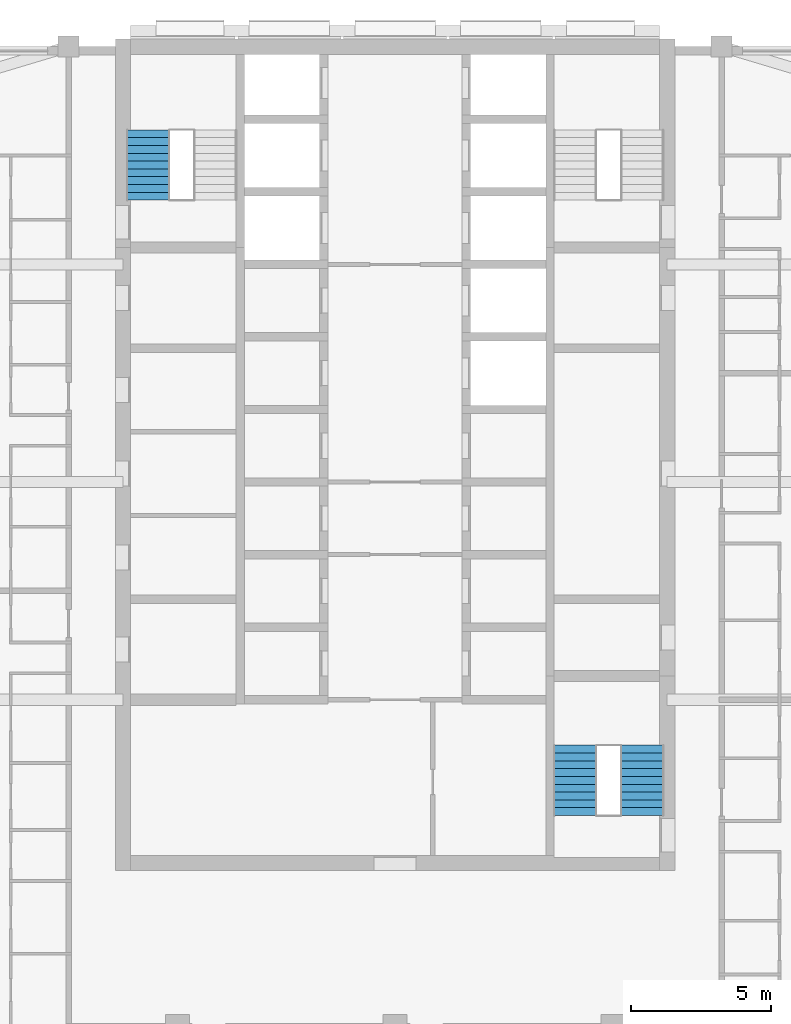
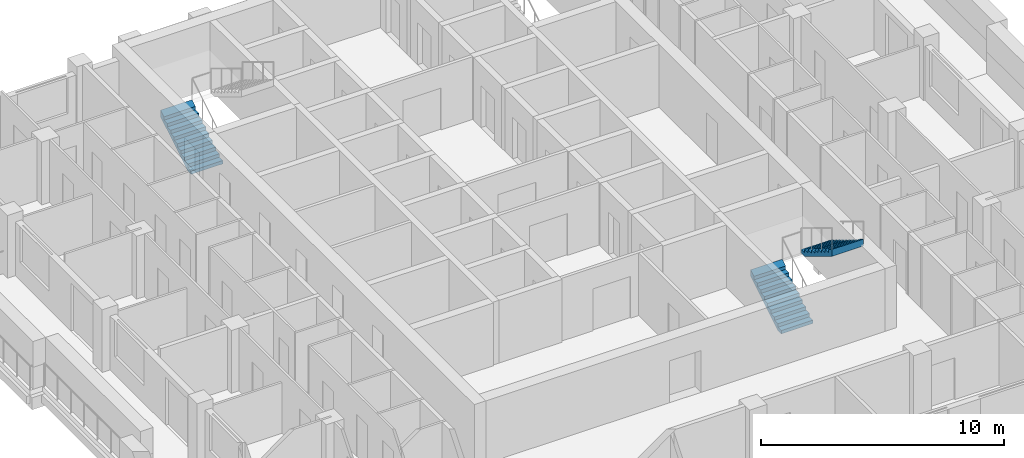
# One storey, part 10 of 13: 3 stair flights, 2 elements without a shape of their own.
"""IFC4 building model written with IfcOpenShell, lengths in metres."""

from ifc_helpers import new_model, si_unit, direction, frame, origin, place, context, subcontext, project, spatial, triangles, material, type_object, element, aggregate, save


model = new_model("IFC4")

# Units and contexts
model_context = context("Model", 3, precision=1e-05, world=origin(), true_north=direction((0.0, 1.0)))
body_context = subcontext(model_context, "Body", "Model", "MODEL_VIEW")
ifc_project = project(units=[si_unit("LENGTHUNIT", "METRE"), si_unit("AREAUNIT", "SQUARE_METRE"), si_unit("VOLUMEUNIT", "CUBIC_METRE"), si_unit("PLANEANGLEUNIT", "RADIAN"), si_unit("MASSUNIT", "GRAM", prefix="KILO")], contexts=[model_context])

# Site, building, storey
site_placement = place(None, origin())
site = spatial("IfcSite", under=ifc_project, at=site_placement, CompositionType="ELEMENT")
building_placement = place(site_placement, origin())
building = spatial("IfcBuilding", under=site, at=building_placement, Name="Ludao Terraces", CompositionType="ELEMENT")
storey_placement = place(building_placement, frame((0.0, 0.0, 186.0)))
storey = spatial("IfcBuildingStorey", under=building, at=storey_placement, Name="L50", CompositionType="ELEMENT", Elevation=186.0)

# Stair, stair flight
ifc_material = material(Name="Concrete C40", Category="concrete")
stair_type = type_object("IfcStairType", Name="INT Stair", PredefinedType="HALF_TURN_STAIR", material=ifc_material)
stair_1_placement = place(storey_placement, origin())
stair_1 = element("IfcStair", 1, at=stair_1_placement, inside=storey, type_object=stair_type, Name="EXIT STAIR 1", PredefinedType="HALF_TURN_STAIR")
stair_flight_type = type_object("IfcStairFlightType", Name="INT Stair flight", PredefinedType="STRAIGHT", material=ifc_material)
stair_flight_1_placement = place(storey_placement, frame((76.14990234375, 79.0, 0.0), z_axis=(0.0, 0.0, 1.0), x_axis=(0.0, 1.0, 0.0)))
stair_flight_1 = element("IfcStairFlight", 2, at=stair_flight_1_placement, type_object=stair_flight_type, Name="ST1 flight 1", NumberOfRisers=10, NumberOfTreads=9, PredefinedType="STRAIGHT", RiserHeight=0.17, TreadLength=0.28, context=body_context, shape_type="Tessellation", body=[
    triangles([(0.0, -0.75, 0.0), (0.0, -0.5, 0.0), (0.0, -0.25, 0.0), (0.0, 0.0, 0.0), (0.0, 0.25, 0.0), (0.0, 0.5, 0.0), (0.0, 0.75, 0.0), (0.0, -0.75, 0.169921875), (0.0, -0.5, 0.169921875), (0.0, -0.25, 0.169921875), (0.0, 0.0, 0.169921875), (0.0, 0.25, 0.169921875), (0.0, 0.5, 0.169921875), (0.0, 0.75, 0.169921875), (0.280029296875, -0.75, 0.169921875), (0.280029296875, -0.5, 0.169921875), (0.280029296875, -0.25, 0.169921875), (0.280029296875, 0.0, 0.169921875), (0.280029296875, 0.25, 0.169921875), (0.280029296875, 0.5, 0.169921875), (0.280029296875, 0.75, 0.169921875), (0.280029296875, -0.75, 0.340087890625), (0.280029296875, -0.5, 0.340087890625), (0.280029296875, -0.25, 0.340087890625), (0.280029296875, 0.0, 0.340087890625), (0.280029296875, 0.25, 0.340087890625), (0.280029296875, 0.5, 0.340087890625), (0.280029296875, 0.75, 0.340087890625), (0.56005859375, -0.75, 0.340087890625), (0.56005859375, -0.5, 0.340087890625), (0.56005859375, -0.25, 0.340087890625), (0.56005859375, 0.0, 0.340087890625), (0.56005859375, 0.25, 0.340087890625), (0.56005859375, 0.5, 0.340087890625), (0.56005859375, 0.75, 0.340087890625), (0.56005859375, -0.75, 0.510009765625), (0.56005859375, -0.5, 0.510009765625), (0.56005859375, -0.25, 0.510009765625), (0.56005859375, 0.0, 0.510009765625), (0.56005859375, 0.25, 0.510009765625), (0.56005859375, 0.5, 0.510009765625), (0.56005859375, 0.75, 0.510009765625), (0.840087890625, -0.75, 0.510009765625), (0.840087890625, -0.5, 0.510009765625), (0.840087890625, -0.25, 0.510009765625), (0.840087890625, 0.0, 0.510009765625), (0.840087890625, 0.25, 0.510009765625), (0.840087890625, 0.5, 0.510009765625), (0.840087890625, 0.75, 0.510009765625), (0.840087890625, -0.75, 0.679931640625), (0.840087890625, -0.5, 0.679931640625), (0.840087890625, -0.25, 0.679931640625), (0.840087890625, 0.0, 0.679931640625), (0.840087890625, 0.25, 0.679931640625), (0.840087890625, 0.5, 0.679931640625), (0.840087890625, 0.75, 0.679931640625), (1.1201171875, -0.75, 0.679931640625), (1.1201171875, -0.5, 0.679931640625), (1.1201171875, -0.25, 0.679931640625), (1.1201171875, 0.0, 0.679931640625), (1.1201171875, 0.25, 0.679931640625), (1.1201171875, 0.5, 0.679931640625), (1.1201171875, 0.75, 0.679931640625), (1.1201171875, -0.75, 0.85009765625), (1.1201171875, -0.5, 0.85009765625), (1.1201171875, -0.25, 0.85009765625), (1.1201171875, 0.0, 0.85009765625), (1.1201171875, 0.25, 0.85009765625), (1.1201171875, 0.5, 0.85009765625), (1.1201171875, 0.75, 0.85009765625), (1.39990234375, -0.75, 0.85009765625), (1.39990234375, -0.5, 0.85009765625), (1.39990234375, -0.25, 0.85009765625), (1.39990234375, 0.0, 0.85009765625), (1.39990234375, 0.25, 0.85009765625), (1.39990234375, 0.5, 0.85009765625), (1.39990234375, 0.75, 0.85009765625), (1.39990234375, -0.75, 1.02001953125), (1.39990234375, -0.5, 1.02001953125), (1.39990234375, -0.25, 1.02001953125), (1.39990234375, 0.0, 1.02001953125), (1.39990234375, 0.25, 1.02001953125), (1.39990234375, 0.5, 1.02001953125), (1.39990234375, 0.75, 1.02001953125), (1.679931640625, -0.75, 1.02001953125), (1.679931640625, -0.5, 1.02001953125), (1.679931640625, -0.25, 1.02001953125), (1.679931640625, 0.0, 1.02001953125), (1.679931640625, 0.25, 1.02001953125), (1.679931640625, 0.5, 1.02001953125), (1.679931640625, 0.75, 1.02001953125), (1.679931640625, -0.75, 1.18994140625), (1.679931640625, -0.5, 1.18994140625), (1.679931640625, -0.25, 1.18994140625), (1.679931640625, 0.0, 1.18994140625), (1.679931640625, 0.25, 1.18994140625), (1.679931640625, 0.5, 1.18994140625), (1.679931640625, 0.75, 1.18994140625), (1.9599609375, -0.75, 1.18994140625), (1.9599609375, -0.5, 1.18994140625), (1.9599609375, -0.25, 1.18994140625), (1.9599609375, 0.0, 1.18994140625), (1.9599609375, 0.25, 1.18994140625), (1.9599609375, 0.5, 1.18994140625), (1.9599609375, 0.75, 1.18994140625), (1.9599609375, -0.75, 1.360107421875), (1.9599609375, -0.5, 1.360107421875), (1.9599609375, -0.25, 1.360107421875), (1.9599609375, 0.0, 1.360107421875), (1.9599609375, 0.25, 1.360107421875), (1.9599609375, 0.5, 1.360107421875), (1.9599609375, 0.75, 1.360107421875), (2.239990234375, -0.75, 1.360107421875), (2.239990234375, -0.5, 1.360107421875), (2.239990234375, -0.25, 1.360107421875), (2.239990234375, 0.0, 1.360107421875), (2.239990234375, 0.25, 1.360107421875), (2.239990234375, 0.5, 1.360107421875), (2.239990234375, 0.75, 1.360107421875), (2.239990234375, -0.75, 1.530029296875), (2.239990234375, -0.5, 1.530029296875), (2.239990234375, -0.25, 1.530029296875), (2.239990234375, 0.0, 1.530029296875), (2.239990234375, 0.25, 1.530029296875), (2.239990234375, 0.5, 1.530029296875), (2.239990234375, 0.75, 1.530029296875), (2.52001953125, -0.75, 1.699951171875), (2.52001953125, -0.5, 1.699951171875), (2.52001953125, -0.25, 1.699951171875), (2.52001953125, 0.0, 1.699951171875), (2.52001953125, 0.25, 1.699951171875), (2.52001953125, 0.5, 1.699951171875), (2.52001953125, 0.75, 1.699951171875), (2.52001953125, -0.75, 1.354736328125), (2.52001953125, -0.5, 1.354736328125), (2.52001953125, -0.25, 1.354736328125), (2.52001953125, 0.0, 1.354736328125), (2.52001953125, 0.25, 1.354736328125), (2.52001953125, 0.5, 1.354736328125), (2.52001953125, 0.75, 1.354736328125), (0.288818359375, -0.75, 0.0), (0.288818359375, -0.5, 0.0), (0.288818359375, -0.25, 0.0), (0.288818359375, 0.0, 0.0), (0.288818359375, 0.25, 0.0), (0.288818359375, 0.5, 0.0), (0.288818359375, 0.75, 0.0)], [[1, 141, 134], [7, 140, 147], [134, 127, 120], [140, 126, 133], [134, 120, 113], [140, 119, 126], [134, 113, 106], [140, 112, 119], [134, 106, 99], [140, 105, 112], [99, 92, 85], [105, 91, 98], [134, 99, 85], [140, 91, 105], [85, 78, 71], [91, 77, 84], [134, 85, 71], [140, 77, 91], [71, 64, 57], [77, 63, 70], [134, 71, 57], [140, 63, 77], [57, 50, 43], [63, 49, 56], [134, 57, 43], [140, 49, 63], [43, 36, 29], [49, 35, 42], [134, 43, 29], [140, 35, 49], [29, 22, 15], [35, 21, 28], [134, 29, 15], [140, 21, 35], [1, 134, 15], [7, 21, 140], [15, 8, 1], [21, 7, 14], [1, 9, 2], [1, 8, 9], [2, 10, 3], [2, 9, 10], [3, 11, 4], [3, 10, 11], [4, 12, 5], [4, 11, 12], [5, 13, 6], [5, 12, 13], [6, 14, 7], [6, 13, 14], [8, 16, 9], [8, 15, 16], [9, 17, 10], [9, 16, 17], [10, 18, 11], [10, 17, 18], [11, 19, 12], [11, 18, 19], [12, 20, 13], [12, 19, 20], [13, 21, 14], [13, 20, 21], [15, 23, 16], [15, 22, 23], [16, 24, 17], [16, 23, 24], [17, 25, 18], [17, 24, 25], [18, 26, 19], [18, 25, 26], [19, 27, 20], [19, 26, 27], [20, 28, 21], [20, 27, 28], [22, 30, 23], [22, 29, 30], [23, 31, 24], [23, 30, 31], [24, 32, 25], [24, 31, 32], [25, 33, 26], [25, 32, 33], [26, 34, 27], [26, 33, 34], [27, 35, 28], [27, 34, 35], [29, 37, 30], [29, 36, 37], [30, 38, 31], [30, 37, 38], [31, 39, 32], [31, 38, 39], [32, 40, 33], [32, 39, 40], [33, 41, 34], [33, 40, 41], [34, 42, 35], [34, 41, 42], [36, 44, 37], [36, 43, 44], [37, 45, 38], [37, 44, 45], [38, 46, 39], [38, 45, 46], [39, 47, 40], [39, 46, 47], [40, 48, 41], [40, 47, 48], [41, 49, 42], [41, 48, 49], [43, 51, 44], [43, 50, 51], [44, 52, 45], [44, 51, 52], [45, 53, 46], [45, 52, 53], [46, 54, 47], [46, 53, 54], [47, 55, 48], [47, 54, 55], [48, 56, 49], [48, 55, 56], [50, 58, 51], [50, 57, 58], [51, 59, 52], [51, 58, 59], [52, 60, 53], [52, 59, 60], [53, 61, 54], [53, 60, 61], [54, 62, 55], [54, 61, 62], [55, 63, 56], [55, 62, 63], [57, 65, 58], [57, 64, 65], [58, 66, 59], [58, 65, 66], [59, 67, 60], [59, 66, 67], [60, 68, 61], [60, 67, 68], [61, 69, 62], [61, 68, 69], [62, 70, 63], [62, 69, 70], [64, 72, 65], [64, 71, 72], [65, 73, 66], [65, 72, 73], [66, 74, 67], [66, 73, 74], [67, 75, 68], [67, 74, 75], [68, 76, 69], [68, 75, 76], [69, 77, 70], [69, 76, 77], [71, 79, 72], [71, 78, 79], [72, 80, 73], [72, 79, 80], [73, 81, 74], [73, 80, 81], [74, 82, 75], [74, 81, 82], [75, 83, 76], [75, 82, 83], [76, 84, 77], [76, 83, 84], [78, 86, 79], [78, 85, 86], [79, 87, 80], [79, 86, 87], [80, 88, 81], [80, 87, 88], [81, 89, 82], [81, 88, 89], [82, 90, 83], [82, 89, 90], [83, 91, 84], [83, 90, 91], [85, 93, 86], [85, 92, 93], [86, 94, 87], [86, 93, 94], [87, 95, 88], [87, 94, 95], [88, 96, 89], [88, 95, 96], [89, 97, 90], [89, 96, 97], [90, 98, 91], [90, 97, 98], [92, 100, 93], [92, 99, 100], [93, 101, 94], [93, 100, 101], [94, 102, 95], [94, 101, 102], [95, 103, 96], [95, 102, 103], [96, 104, 97], [96, 103, 104], [97, 105, 98], [97, 104, 105], [99, 107, 100], [99, 106, 107], [100, 108, 101], [100, 107, 108], [101, 109, 102], [101, 108, 109], [102, 110, 103], [102, 109, 110], [103, 111, 104], [103, 110, 111], [104, 112, 105], [104, 111, 112], [106, 114, 107], [106, 113, 114], [107, 115, 108], [107, 114, 115], [108, 116, 109], [108, 115, 116], [109, 117, 110], [109, 116, 117], [110, 118, 111], [110, 117, 118], [111, 119, 112], [111, 118, 119], [113, 121, 114], [113, 120, 121], [114, 122, 115], [114, 121, 122], [115, 123, 116], [115, 122, 123], [116, 124, 117], [116, 123, 124], [117, 125, 118], [117, 124, 125], [118, 126, 119], [118, 125, 126], [120, 128, 121], [120, 127, 128], [121, 129, 122], [121, 128, 129], [122, 130, 123], [122, 129, 130], [123, 131, 124], [123, 130, 131], [124, 132, 125], [124, 131, 132], [125, 133, 126], [125, 132, 133], [127, 135, 128], [127, 134, 135], [128, 136, 129], [128, 135, 136], [129, 137, 130], [129, 136, 137], [130, 138, 131], [130, 137, 138], [131, 139, 132], [131, 138, 139], [132, 140, 133], [132, 139, 140], [134, 142, 135], [134, 141, 142], [135, 143, 136], [135, 142, 143], [136, 144, 137], [136, 143, 144], [137, 145, 138], [137, 144, 145], [138, 146, 139], [138, 145, 146], [139, 147, 140], [139, 146, 147], [141, 2, 142], [141, 1, 2], [142, 3, 143], [142, 2, 3], [143, 4, 144], [143, 3, 4], [144, 5, 145], [144, 4, 5], [145, 6, 146], [145, 5, 6], [146, 7, 147], [146, 6, 7]], closed=True),
])
aggregate(stair_1, [stair_flight_1])

# Stair, stair flights
stair_2_placement = place(storey_placement, origin())
stair_2 = element("IfcStair", 3, at=stair_2_placement, inside=storey, type_object=stair_type, Name="EXIT STAIR 3", PredefinedType="HALF_TURN_STAIR")
stair_flight_2_placement = place(storey_placement, frame((91.449951171875, 56.949951171875, 0.0), z_axis=(0.0, 0.0, 1.0), x_axis=(0.0, 1.0, 0.0)))
stair_flight_2 = element("IfcStairFlight", 4, at=stair_flight_2_placement, type_object=stair_flight_type, Name="ST3 flight 1", NumberOfRisers=10, NumberOfTreads=9, PredefinedType="STRAIGHT", RiserHeight=0.17, TreadLength=0.28, context=body_context, shape_type="Tessellation", body=[
    triangles([(0.0, -0.75, 0.0), (0.0, -0.5, 0.0), (0.0, -0.25, 0.0), (0.0, 0.0, 0.0), (0.0, 0.25, 0.0), (0.0, 0.5, 0.0), (0.0, 0.75, 0.0), (0.0, -0.75, 0.169921875), (0.0, -0.5, 0.169921875), (0.0, -0.25, 0.169921875), (0.0, 0.0, 0.169921875), (0.0, 0.25, 0.169921875), (0.0, 0.5, 0.169921875), (0.0, 0.75, 0.169921875), (0.280029296875, -0.75, 0.169921875), (0.280029296875, -0.5, 0.169921875), (0.280029296875, -0.25, 0.169921875), (0.280029296875, 0.0, 0.169921875), (0.280029296875, 0.25, 0.169921875), (0.280029296875, 0.5, 0.169921875), (0.280029296875, 0.75, 0.169921875), (0.280029296875, -0.75, 0.340087890625), (0.280029296875, -0.5, 0.340087890625), (0.280029296875, -0.25, 0.340087890625), (0.280029296875, 0.0, 0.340087890625), (0.280029296875, 0.25, 0.340087890625), (0.280029296875, 0.5, 0.340087890625), (0.280029296875, 0.75, 0.340087890625), (0.56005859375, -0.75, 0.340087890625), (0.56005859375, -0.5, 0.340087890625), (0.56005859375, -0.25, 0.340087890625), (0.56005859375, 0.0, 0.340087890625), (0.56005859375, 0.25, 0.340087890625), (0.56005859375, 0.5, 0.340087890625), (0.56005859375, 0.75, 0.340087890625), (0.56005859375, -0.75, 0.510009765625), (0.56005859375, -0.5, 0.510009765625), (0.56005859375, -0.25, 0.510009765625), (0.56005859375, 0.0, 0.510009765625), (0.56005859375, 0.25, 0.510009765625), (0.56005859375, 0.5, 0.510009765625), (0.56005859375, 0.75, 0.510009765625), (0.840087890625, -0.75, 0.510009765625), (0.840087890625, -0.5, 0.510009765625), (0.840087890625, -0.25, 0.510009765625), (0.840087890625, 0.0, 0.510009765625), (0.840087890625, 0.25, 0.510009765625), (0.840087890625, 0.5, 0.510009765625), (0.840087890625, 0.75, 0.510009765625), (0.840087890625, -0.75, 0.679931640625), (0.840087890625, -0.5, 0.679931640625), (0.840087890625, -0.25, 0.679931640625), (0.840087890625, 0.0, 0.679931640625), (0.840087890625, 0.25, 0.679931640625), (0.840087890625, 0.5, 0.679931640625), (0.840087890625, 0.75, 0.679931640625), (1.1201171875, -0.75, 0.679931640625), (1.1201171875, -0.5, 0.679931640625), (1.1201171875, -0.25, 0.679931640625), (1.1201171875, 0.0, 0.679931640625), (1.1201171875, 0.25, 0.679931640625), (1.1201171875, 0.5, 0.679931640625), (1.1201171875, 0.75, 0.679931640625), (1.1201171875, -0.75, 0.85009765625), (1.1201171875, -0.5, 0.85009765625), (1.1201171875, -0.25, 0.85009765625), (1.1201171875, 0.0, 0.85009765625), (1.1201171875, 0.25, 0.85009765625), (1.1201171875, 0.5, 0.85009765625), (1.1201171875, 0.75, 0.85009765625), (1.39990234375, -0.75, 0.85009765625), (1.39990234375, -0.5, 0.85009765625), (1.39990234375, -0.25, 0.85009765625), (1.39990234375, 0.0, 0.85009765625), (1.39990234375, 0.25, 0.85009765625), (1.39990234375, 0.5, 0.85009765625), (1.39990234375, 0.75, 0.85009765625), (1.39990234375, -0.75, 1.02001953125), (1.39990234375, -0.5, 1.02001953125), (1.39990234375, -0.25, 1.02001953125), (1.39990234375, 0.0, 1.02001953125), (1.39990234375, 0.25, 1.02001953125), (1.39990234375, 0.5, 1.02001953125), (1.39990234375, 0.75, 1.02001953125), (1.679931640625, -0.75, 1.02001953125), (1.679931640625, -0.5, 1.02001953125), (1.679931640625, -0.25, 1.02001953125), (1.679931640625, 0.0, 1.02001953125), (1.679931640625, 0.25, 1.02001953125), (1.679931640625, 0.5, 1.02001953125), (1.679931640625, 0.75, 1.02001953125), (1.679931640625, -0.75, 1.18994140625), (1.679931640625, -0.5, 1.18994140625), (1.679931640625, -0.25, 1.18994140625), (1.679931640625, 0.0, 1.18994140625), (1.679931640625, 0.25, 1.18994140625), (1.679931640625, 0.5, 1.18994140625), (1.679931640625, 0.75, 1.18994140625), (1.9599609375, -0.75, 1.18994140625), (1.9599609375, -0.5, 1.18994140625), (1.9599609375, -0.25, 1.18994140625), (1.9599609375, 0.0, 1.18994140625), (1.9599609375, 0.25, 1.18994140625), (1.9599609375, 0.5, 1.18994140625), (1.9599609375, 0.75, 1.18994140625), (1.9599609375, -0.75, 1.360107421875), (1.9599609375, -0.5, 1.360107421875), (1.9599609375, -0.25, 1.360107421875), (1.9599609375, 0.0, 1.360107421875), (1.9599609375, 0.25, 1.360107421875), (1.9599609375, 0.5, 1.360107421875), (1.9599609375, 0.75, 1.360107421875), (2.239990234375, -0.75, 1.360107421875), (2.239990234375, -0.5, 1.360107421875), (2.239990234375, -0.25, 1.360107421875), (2.239990234375, 0.0, 1.360107421875), (2.239990234375, 0.25, 1.360107421875), (2.239990234375, 0.5, 1.360107421875), (2.239990234375, 0.75, 1.360107421875), (2.239990234375, -0.75, 1.530029296875), (2.239990234375, -0.5, 1.530029296875), (2.239990234375, -0.25, 1.530029296875), (2.239990234375, 0.0, 1.530029296875), (2.239990234375, 0.25, 1.530029296875), (2.239990234375, 0.5, 1.530029296875), (2.239990234375, 0.75, 1.530029296875), (2.52001953125, -0.75, 1.699951171875), (2.52001953125, -0.5, 1.699951171875), (2.52001953125, -0.25, 1.699951171875), (2.52001953125, 0.0, 1.699951171875), (2.52001953125, 0.25, 1.699951171875), (2.52001953125, 0.5, 1.699951171875), (2.52001953125, 0.75, 1.699951171875), (2.52001953125, -0.75, 1.354736328125), (2.52001953125, -0.5, 1.354736328125), (2.52001953125, -0.25, 1.354736328125), (2.52001953125, 0.0, 1.354736328125), (2.52001953125, 0.25, 1.354736328125), (2.52001953125, 0.5, 1.354736328125), (2.52001953125, 0.75, 1.354736328125), (0.288818359375, -0.75, 0.0), (0.288818359375, -0.5, 0.0), (0.288818359375, -0.25, 0.0), (0.288818359375, 0.0, 0.0), (0.288818359375, 0.25, 0.0), (0.288818359375, 0.5, 0.0), (0.288818359375, 0.75, 0.0)], [[1, 141, 134], [7, 140, 147], [134, 127, 120], [140, 126, 133], [134, 120, 113], [140, 119, 126], [134, 113, 106], [140, 112, 119], [134, 106, 99], [140, 105, 112], [99, 92, 85], [105, 91, 98], [134, 99, 85], [140, 91, 105], [85, 78, 71], [91, 77, 84], [134, 85, 71], [140, 77, 91], [71, 64, 57], [77, 63, 70], [134, 71, 57], [140, 63, 77], [57, 50, 43], [63, 49, 56], [134, 57, 43], [140, 49, 63], [43, 36, 29], [49, 35, 42], [134, 43, 29], [140, 35, 49], [29, 22, 15], [35, 21, 28], [134, 29, 15], [140, 21, 35], [1, 134, 15], [7, 21, 140], [15, 8, 1], [21, 7, 14], [1, 9, 2], [1, 8, 9], [2, 10, 3], [2, 9, 10], [3, 11, 4], [3, 10, 11], [4, 12, 5], [4, 11, 12], [5, 13, 6], [5, 12, 13], [6, 14, 7], [6, 13, 14], [8, 16, 9], [8, 15, 16], [9, 17, 10], [9, 16, 17], [10, 18, 11], [10, 17, 18], [11, 19, 12], [11, 18, 19], [12, 20, 13], [12, 19, 20], [13, 21, 14], [13, 20, 21], [15, 23, 16], [15, 22, 23], [16, 24, 17], [16, 23, 24], [17, 25, 18], [17, 24, 25], [18, 26, 19], [18, 25, 26], [19, 27, 20], [19, 26, 27], [20, 28, 21], [20, 27, 28], [22, 30, 23], [22, 29, 30], [23, 31, 24], [23, 30, 31], [24, 32, 25], [24, 31, 32], [25, 33, 26], [25, 32, 33], [26, 34, 27], [26, 33, 34], [27, 35, 28], [27, 34, 35], [29, 37, 30], [29, 36, 37], [30, 38, 31], [30, 37, 38], [31, 39, 32], [31, 38, 39], [32, 40, 33], [32, 39, 40], [33, 41, 34], [33, 40, 41], [34, 42, 35], [34, 41, 42], [36, 44, 37], [36, 43, 44], [37, 45, 38], [37, 44, 45], [38, 46, 39], [38, 45, 46], [39, 47, 40], [39, 46, 47], [40, 48, 41], [40, 47, 48], [41, 49, 42], [41, 48, 49], [43, 51, 44], [43, 50, 51], [44, 52, 45], [44, 51, 52], [45, 53, 46], [45, 52, 53], [46, 54, 47], [46, 53, 54], [47, 55, 48], [47, 54, 55], [48, 56, 49], [48, 55, 56], [50, 58, 51], [50, 57, 58], [51, 59, 52], [51, 58, 59], [52, 60, 53], [52, 59, 60], [53, 61, 54], [53, 60, 61], [54, 62, 55], [54, 61, 62], [55, 63, 56], [55, 62, 63], [57, 65, 58], [57, 64, 65], [58, 66, 59], [58, 65, 66], [59, 67, 60], [59, 66, 67], [60, 68, 61], [60, 67, 68], [61, 69, 62], [61, 68, 69], [62, 70, 63], [62, 69, 70], [64, 72, 65], [64, 71, 72], [65, 73, 66], [65, 72, 73], [66, 74, 67], [66, 73, 74], [67, 75, 68], [67, 74, 75], [68, 76, 69], [68, 75, 76], [69, 77, 70], [69, 76, 77], [71, 79, 72], [71, 78, 79], [72, 80, 73], [72, 79, 80], [73, 81, 74], [73, 80, 81], [74, 82, 75], [74, 81, 82], [75, 83, 76], [75, 82, 83], [76, 84, 77], [76, 83, 84], [78, 86, 79], [78, 85, 86], [79, 87, 80], [79, 86, 87], [80, 88, 81], [80, 87, 88], [81, 89, 82], [81, 88, 89], [82, 90, 83], [82, 89, 90], [83, 91, 84], [83, 90, 91], [85, 93, 86], [85, 92, 93], [86, 94, 87], [86, 93, 94], [87, 95, 88], [87, 94, 95], [88, 96, 89], [88, 95, 96], [89, 97, 90], [89, 96, 97], [90, 98, 91], [90, 97, 98], [92, 100, 93], [92, 99, 100], [93, 101, 94], [93, 100, 101], [94, 102, 95], [94, 101, 102], [95, 103, 96], [95, 102, 103], [96, 104, 97], [96, 103, 104], [97, 105, 98], [97, 104, 105], [99, 107, 100], [99, 106, 107], [100, 108, 101], [100, 107, 108], [101, 109, 102], [101, 108, 109], [102, 110, 103], [102, 109, 110], [103, 111, 104], [103, 110, 111], [104, 112, 105], [104, 111, 112], [106, 114, 107], [106, 113, 114], [107, 115, 108], [107, 114, 115], [108, 116, 109], [108, 115, 116], [109, 117, 110], [109, 116, 117], [110, 118, 111], [110, 117, 118], [111, 119, 112], [111, 118, 119], [113, 121, 114], [113, 120, 121], [114, 122, 115], [114, 121, 122], [115, 123, 116], [115, 122, 123], [116, 124, 117], [116, 123, 124], [117, 125, 118], [117, 124, 125], [118, 126, 119], [118, 125, 126], [120, 128, 121], [120, 127, 128], [121, 129, 122], [121, 128, 129], [122, 130, 123], [122, 129, 130], [123, 131, 124], [123, 130, 131], [124, 132, 125], [124, 131, 132], [125, 133, 126], [125, 132, 133], [127, 135, 128], [127, 134, 135], [128, 136, 129], [128, 135, 136], [129, 137, 130], [129, 136, 137], [130, 138, 131], [130, 137, 138], [131, 139, 132], [131, 138, 139], [132, 140, 133], [132, 139, 140], [134, 142, 135], [134, 141, 142], [135, 143, 136], [135, 142, 143], [136, 144, 137], [136, 143, 144], [137, 145, 138], [137, 144, 145], [138, 146, 139], [138, 145, 146], [139, 147, 140], [139, 146, 147], [141, 2, 142], [141, 1, 2], [142, 3, 143], [142, 2, 3], [143, 4, 144], [143, 3, 4], [144, 5, 145], [144, 4, 5], [145, 6, 146], [145, 5, 6], [146, 7, 147], [146, 6, 7]], closed=True),
])
stair_flight_3_placement = place(storey_placement, frame((93.85009765625, 59.469970703125, 1.699951171875), z_axis=(0.0, 0.0, 1.0), x_axis=(0.0, -1.0, 0.0)))
stair_flight_3 = element("IfcStairFlight", 5, at=stair_flight_3_placement, type_object=stair_flight_type, Name="ST3 flight 2", NumberOfRisers=10, NumberOfTreads=9, PredefinedType="STRAIGHT", RiserHeight=0.17, TreadLength=0.28, context=body_context, shape_type="Tessellation", body=[
    triangles([(0.0, -0.75, 0.0), (0.0, -0.5, 0.0), (0.0, -0.25, 0.0), (0.0, 0.0, 0.0), (0.0, 0.25, 0.0), (0.0, 0.5, 0.0), (0.0, 0.75, 0.0), (0.0, -0.75, 0.169921875), (0.0, -0.5, 0.169921875), (0.0, -0.25, 0.169921875), (0.0, 0.0, 0.169921875), (0.0, 0.25, 0.169921875), (0.0, 0.5, 0.169921875), (0.0, 0.75, 0.169921875), (0.280029296875, -0.75, 0.169921875), (0.280029296875, -0.5, 0.169921875), (0.280029296875, -0.25, 0.169921875), (0.280029296875, 0.0, 0.169921875), (0.280029296875, 0.25, 0.169921875), (0.280029296875, 0.5, 0.169921875), (0.280029296875, 0.75, 0.169921875), (0.280029296875, -0.75, 0.340087890625), (0.280029296875, -0.5, 0.340087890625), (0.280029296875, -0.25, 0.340087890625), (0.280029296875, 0.0, 0.340087890625), (0.280029296875, 0.25, 0.340087890625), (0.280029296875, 0.5, 0.340087890625), (0.280029296875, 0.75, 0.340087890625), (0.56005859375, -0.75, 0.340087890625), (0.56005859375, -0.5, 0.340087890625), (0.56005859375, -0.25, 0.340087890625), (0.56005859375, 0.0, 0.340087890625), (0.56005859375, 0.25, 0.340087890625), (0.56005859375, 0.5, 0.340087890625), (0.56005859375, 0.75, 0.340087890625), (0.56005859375, -0.75, 0.510009765625), (0.56005859375, -0.5, 0.510009765625), (0.56005859375, -0.25, 0.510009765625), (0.56005859375, 0.0, 0.510009765625), (0.56005859375, 0.25, 0.510009765625), (0.56005859375, 0.5, 0.510009765625), (0.56005859375, 0.75, 0.510009765625), (0.840087890625, -0.75, 0.510009765625), (0.840087890625, -0.5, 0.510009765625), (0.840087890625, -0.25, 0.510009765625), (0.840087890625, 0.0, 0.510009765625), (0.840087890625, 0.25, 0.510009765625), (0.840087890625, 0.5, 0.510009765625), (0.840087890625, 0.75, 0.510009765625), (0.840087890625, -0.75, 0.679931640625), (0.840087890625, -0.5, 0.679931640625), (0.840087890625, -0.25, 0.679931640625), (0.840087890625, 0.0, 0.679931640625), (0.840087890625, 0.25, 0.679931640625), (0.840087890625, 0.5, 0.679931640625), (0.840087890625, 0.75, 0.679931640625), (1.1201171875, -0.75, 0.679931640625), (1.1201171875, -0.5, 0.679931640625), (1.1201171875, -0.25, 0.679931640625), (1.1201171875, 0.0, 0.679931640625), (1.1201171875, 0.25, 0.679931640625), (1.1201171875, 0.5, 0.679931640625), (1.1201171875, 0.75, 0.679931640625), (1.1201171875, -0.75, 0.85009765625), (1.1201171875, -0.5, 0.85009765625), (1.1201171875, -0.25, 0.85009765625), (1.1201171875, 0.0, 0.85009765625), (1.1201171875, 0.25, 0.85009765625), (1.1201171875, 0.5, 0.85009765625), (1.1201171875, 0.75, 0.85009765625), (1.39990234375, -0.75, 0.85009765625), (1.39990234375, -0.5, 0.85009765625), (1.39990234375, -0.25, 0.85009765625), (1.39990234375, 0.0, 0.85009765625), (1.39990234375, 0.25, 0.85009765625), (1.39990234375, 0.5, 0.85009765625), (1.39990234375, 0.75, 0.85009765625), (1.39990234375, -0.75, 1.02001953125), (1.39990234375, -0.5, 1.02001953125), (1.39990234375, -0.25, 1.02001953125), (1.39990234375, 0.0, 1.02001953125), (1.39990234375, 0.25, 1.02001953125), (1.39990234375, 0.5, 1.02001953125), (1.39990234375, 0.75, 1.02001953125), (1.679931640625, -0.75, 1.02001953125), (1.679931640625, -0.5, 1.02001953125), (1.679931640625, -0.25, 1.02001953125), (1.679931640625, 0.0, 1.02001953125), (1.679931640625, 0.25, 1.02001953125), (1.679931640625, 0.5, 1.02001953125), (1.679931640625, 0.75, 1.02001953125), (1.679931640625, -0.75, 1.18994140625), (1.679931640625, -0.5, 1.18994140625), (1.679931640625, -0.25, 1.18994140625), (1.679931640625, 0.0, 1.18994140625), (1.679931640625, 0.25, 1.18994140625), (1.679931640625, 0.5, 1.18994140625), (1.679931640625, 0.75, 1.18994140625), (1.9599609375, -0.75, 1.18994140625), (1.9599609375, -0.5, 1.18994140625), (1.9599609375, -0.25, 1.18994140625), (1.9599609375, 0.0, 1.18994140625), (1.9599609375, 0.25, 1.18994140625), (1.9599609375, 0.5, 1.18994140625), (1.9599609375, 0.75, 1.18994140625), (1.9599609375, -0.75, 1.360107421875), (1.9599609375, -0.5, 1.360107421875), (1.9599609375, -0.25, 1.360107421875), (1.9599609375, 0.0, 1.360107421875), (1.9599609375, 0.25, 1.360107421875), (1.9599609375, 0.5, 1.360107421875), (1.9599609375, 0.75, 1.360107421875), (2.239990234375, -0.75, 1.360107421875), (2.239990234375, -0.5, 1.360107421875), (2.239990234375, -0.25, 1.360107421875), (2.239990234375, 0.0, 1.360107421875), (2.239990234375, 0.25, 1.360107421875), (2.239990234375, 0.5, 1.360107421875), (2.239990234375, 0.75, 1.360107421875), (2.239990234375, -0.75, 1.530029296875), (2.239990234375, -0.5, 1.530029296875), (2.239990234375, -0.25, 1.530029296875), (2.239990234375, 0.0, 1.530029296875), (2.239990234375, 0.25, 1.530029296875), (2.239990234375, 0.5, 1.530029296875), (2.239990234375, 0.75, 1.530029296875), (2.52001953125, -0.75, 1.699951171875), (2.52001953125, -0.5, 1.699951171875), (2.52001953125, -0.25, 1.699951171875), (2.52001953125, 0.0, 1.699951171875), (2.52001953125, 0.25, 1.699951171875), (2.52001953125, 0.5, 1.699951171875), (2.52001953125, 0.75, 1.699951171875), (2.52001953125, -0.75, 1.354736328125), (2.52001953125, -0.5, 1.354736328125), (2.52001953125, -0.25, 1.354736328125), (2.52001953125, 0.0, 1.354736328125), (2.52001953125, 0.25, 1.354736328125), (2.52001953125, 0.5, 1.354736328125), (2.52001953125, 0.75, 1.354736328125), (0.288818359375, -0.75, 0.0), (0.288818359375, -0.5, 0.0), (0.288818359375, -0.25, 0.0), (0.288818359375, 0.0, 0.0), (0.288818359375, 0.25, 0.0), (0.288818359375, 0.5, 0.0), (0.288818359375, 0.75, 0.0)], [[1, 141, 134], [7, 140, 147], [134, 127, 120], [140, 126, 133], [134, 120, 113], [140, 119, 126], [134, 113, 106], [140, 112, 119], [134, 106, 99], [140, 105, 112], [99, 92, 85], [105, 91, 98], [134, 99, 85], [140, 91, 105], [85, 78, 71], [91, 77, 84], [134, 85, 71], [140, 77, 91], [71, 64, 57], [77, 63, 70], [134, 71, 57], [140, 63, 77], [57, 50, 43], [63, 49, 56], [134, 57, 43], [140, 49, 63], [43, 36, 29], [49, 35, 42], [134, 43, 29], [140, 35, 49], [29, 22, 15], [35, 21, 28], [134, 29, 15], [140, 21, 35], [1, 134, 15], [7, 21, 140], [15, 8, 1], [21, 7, 14], [1, 9, 2], [1, 8, 9], [2, 10, 3], [2, 9, 10], [3, 11, 4], [3, 10, 11], [4, 12, 5], [4, 11, 12], [5, 13, 6], [5, 12, 13], [6, 14, 7], [6, 13, 14], [8, 16, 9], [8, 15, 16], [9, 17, 10], [9, 16, 17], [10, 18, 11], [10, 17, 18], [11, 19, 12], [11, 18, 19], [12, 20, 13], [12, 19, 20], [13, 21, 14], [13, 20, 21], [15, 23, 16], [15, 22, 23], [16, 24, 17], [16, 23, 24], [17, 25, 18], [17, 24, 25], [18, 26, 19], [18, 25, 26], [19, 27, 20], [19, 26, 27], [20, 28, 21], [20, 27, 28], [22, 30, 23], [22, 29, 30], [23, 31, 24], [23, 30, 31], [24, 32, 25], [24, 31, 32], [25, 33, 26], [25, 32, 33], [26, 34, 27], [26, 33, 34], [27, 35, 28], [27, 34, 35], [29, 37, 30], [29, 36, 37], [30, 38, 31], [30, 37, 38], [31, 39, 32], [31, 38, 39], [32, 40, 33], [32, 39, 40], [33, 41, 34], [33, 40, 41], [34, 42, 35], [34, 41, 42], [36, 44, 37], [36, 43, 44], [37, 45, 38], [37, 44, 45], [38, 46, 39], [38, 45, 46], [39, 47, 40], [39, 46, 47], [40, 48, 41], [40, 47, 48], [41, 49, 42], [41, 48, 49], [43, 51, 44], [43, 50, 51], [44, 52, 45], [44, 51, 52], [45, 53, 46], [45, 52, 53], [46, 54, 47], [46, 53, 54], [47, 55, 48], [47, 54, 55], [48, 56, 49], [48, 55, 56], [50, 58, 51], [50, 57, 58], [51, 59, 52], [51, 58, 59], [52, 60, 53], [52, 59, 60], [53, 61, 54], [53, 60, 61], [54, 62, 55], [54, 61, 62], [55, 63, 56], [55, 62, 63], [57, 65, 58], [57, 64, 65], [58, 66, 59], [58, 65, 66], [59, 67, 60], [59, 66, 67], [60, 68, 61], [60, 67, 68], [61, 69, 62], [61, 68, 69], [62, 70, 63], [62, 69, 70], [64, 72, 65], [64, 71, 72], [65, 73, 66], [65, 72, 73], [66, 74, 67], [66, 73, 74], [67, 75, 68], [67, 74, 75], [68, 76, 69], [68, 75, 76], [69, 77, 70], [69, 76, 77], [71, 79, 72], [71, 78, 79], [72, 80, 73], [72, 79, 80], [73, 81, 74], [73, 80, 81], [74, 82, 75], [74, 81, 82], [75, 83, 76], [75, 82, 83], [76, 84, 77], [76, 83, 84], [78, 86, 79], [78, 85, 86], [79, 87, 80], [79, 86, 87], [80, 88, 81], [80, 87, 88], [81, 89, 82], [81, 88, 89], [82, 90, 83], [82, 89, 90], [83, 91, 84], [83, 90, 91], [85, 93, 86], [85, 92, 93], [86, 94, 87], [86, 93, 94], [87, 95, 88], [87, 94, 95], [88, 96, 89], [88, 95, 96], [89, 97, 90], [89, 96, 97], [90, 98, 91], [90, 97, 98], [92, 100, 93], [92, 99, 100], [93, 101, 94], [93, 100, 101], [94, 102, 95], [94, 101, 102], [95, 103, 96], [95, 102, 103], [96, 104, 97], [96, 103, 104], [97, 105, 98], [97, 104, 105], [99, 107, 100], [99, 106, 107], [100, 108, 101], [100, 107, 108], [101, 109, 102], [101, 108, 109], [102, 110, 103], [102, 109, 110], [103, 111, 104], [103, 110, 111], [104, 112, 105], [104, 111, 112], [106, 114, 107], [106, 113, 114], [107, 115, 108], [107, 114, 115], [108, 116, 109], [108, 115, 116], [109, 117, 110], [109, 116, 117], [110, 118, 111], [110, 117, 118], [111, 119, 112], [111, 118, 119], [113, 121, 114], [113, 120, 121], [114, 122, 115], [114, 121, 122], [115, 123, 116], [115, 122, 123], [116, 124, 117], [116, 123, 124], [117, 125, 118], [117, 124, 125], [118, 126, 119], [118, 125, 126], [120, 128, 121], [120, 127, 128], [121, 129, 122], [121, 128, 129], [122, 130, 123], [122, 129, 130], [123, 131, 124], [123, 130, 131], [124, 132, 125], [124, 131, 132], [125, 133, 126], [125, 132, 133], [127, 135, 128], [127, 134, 135], [128, 136, 129], [128, 135, 136], [129, 137, 130], [129, 136, 137], [130, 138, 131], [130, 137, 138], [131, 139, 132], [131, 138, 139], [132, 140, 133], [132, 139, 140], [134, 142, 135], [134, 141, 142], [135, 143, 136], [135, 142, 143], [136, 144, 137], [136, 143, 144], [137, 145, 138], [137, 144, 145], [138, 146, 139], [138, 145, 146], [139, 147, 140], [139, 146, 147], [141, 2, 142], [141, 1, 2], [142, 3, 143], [142, 2, 3], [143, 4, 144], [143, 3, 4], [144, 5, 145], [144, 4, 5], [145, 6, 146], [145, 5, 6], [146, 7, 147], [146, 6, 7]], closed=True),
])
aggregate(stair_2, [stair_flight_2, stair_flight_3])

save(model, "model.ifc")
